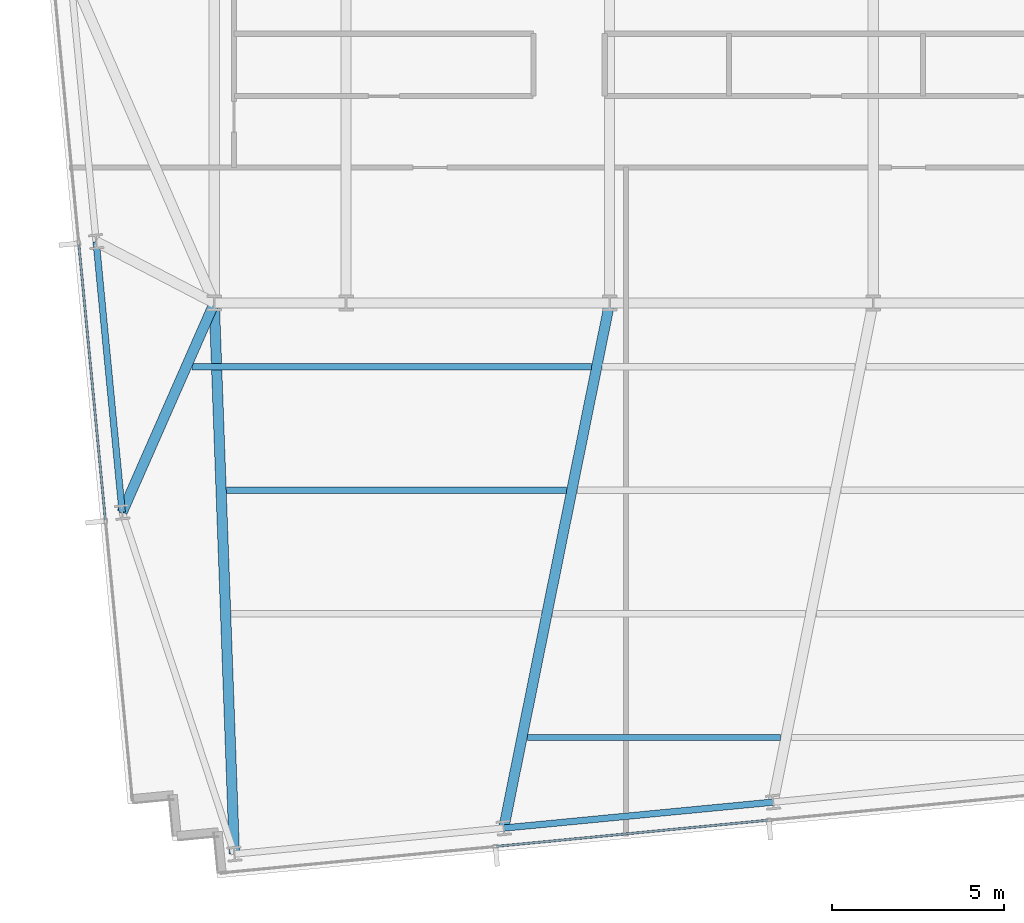
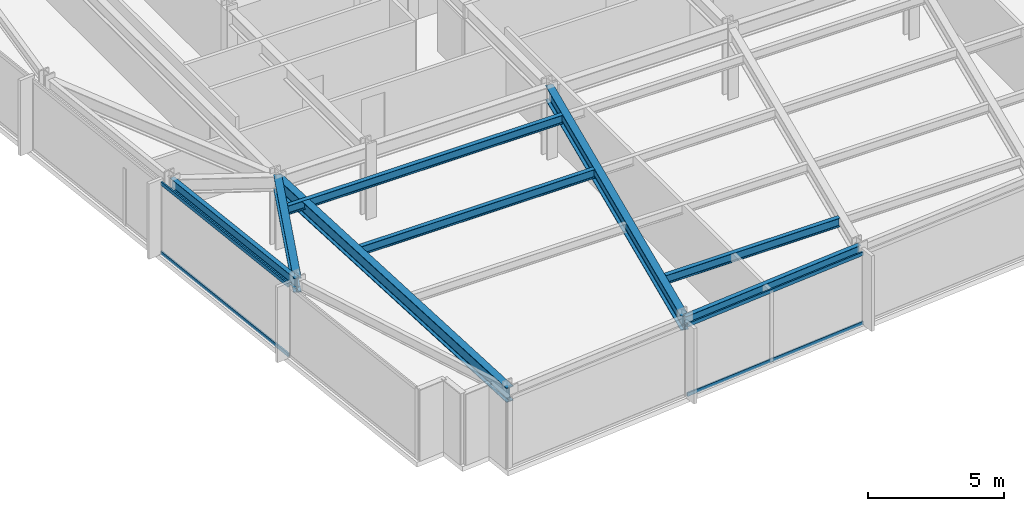
# One storey, part 3 of 32: 8 beams, 4 members, 2 elements without a shape of their own.
"""IFC4 building model written with IfcOpenShell, lengths in metres."""

from ifc_helpers import new_model, si_unit, direction, frame, origin, origin_2d, place, context, subcontext, project, spatial, hollow_rectangle, i_section, extrude, material, material_profile, profile_set, type_object, element, aggregate, save


model = new_model("IFC4")

# Units and contexts
model_context = context("Model", 3, precision=1e-05, world=origin(), true_north=direction((0.0, 1.0)))
body_context = subcontext(model_context, "Body", "Model", "MODEL_VIEW")
ifc_project = project(units=[si_unit("LENGTHUNIT", "METRE"), si_unit("AREAUNIT", "SQUARE_METRE"), si_unit("VOLUMEUNIT", "CUBIC_METRE"), si_unit("PLANEANGLEUNIT", "RADIAN"), si_unit("MASSUNIT", "GRAM", prefix="KILO")], contexts=[model_context])

# Site, building, storey
site_placement = place(None, origin())
site = spatial("IfcSite", under=ifc_project, at=site_placement, CompositionType="ELEMENT")
building_placement = place(site_placement, origin())
building = spatial("IfcBuilding", under=site, at=building_placement, Name="Yelkora Congress Tower", CompositionType="ELEMENT")
storey_placement = place(building_placement, frame((0.0, 0.0, 113.5)))
storey = spatial("IfcBuildingStorey", under=building, at=storey_placement, Name="L30", CompositionType="ELEMENT", Elevation=113.5)

# Beams
ifc_material_1 = material(Name="Steel S355J2", Category="steel")
ifc_material_profile_1 = material_profile(ifc_material_1, i_section(OverallWidth=0.300048828125, OverallDepth=0.64990234375, WebThickness=0.01611328125, FlangeThickness=0.031005859375, FilletRadius=0.027099609375, at=origin_2d()), Name="HEB 650")
ifc_profile_set_1 = profile_set([ifc_material_profile_1], Name="Steel S355J2")
beam_type_1 = type_object("IfcBeamType", Name="BM-GIRD-HEB650", PredefinedType="BEAM", material=ifc_profile_set_1)
beam_1_placement = place(storey_placement, frame((19.785888671875, 9.144287109375, 2.85498046875), z_axis=(-0.03646985294, 0.999334753637, 0.0), x_axis=(-0.999334753637, -0.03646985294, 0.0)))
element("IfcBeam", 1, at=beam_1_placement, inside=storey, type_object=beam_type_1, Name="L30 Primary Frame Girder S01", PredefinedType="BEAM", context=body_context, shape_type="SweptSolid", body=[
    extrude(i_section(OverallWidth=0.300048828125, OverallDepth=0.64990234375, WebThickness=0.01611328125, FlangeThickness=0.031005859375, FilletRadius=0.027099609375, at=origin_2d()), origin(), (0.0, 0.0, 1.0), 16.06640625),
])
beam_2_placement = place(storey_placement, frame((27.635498046875, 9.900146484375, 2.85498046875), z_axis=(0.197625995154, 0.980277494406, 0.0), x_axis=(-0.980277494406, 0.197625995154, 0.0)))
element("IfcBeam", 2, at=beam_2_placement, inside=storey, type_object=beam_type_1, Name="L30 Primary Frame Girder S02", PredefinedType="BEAM", context=body_context, shape_type="SweptSolid", body=[
    extrude(i_section(OverallWidth=0.300048828125, OverallDepth=0.64990234375, WebThickness=0.01611328125, FlangeThickness=0.031005859375, FilletRadius=0.027099609375, at=origin_2d()), origin(), (0.0, 0.0, 1.0), 15.607666015625),
])
beam_3_placement = place(storey_placement, frame((16.5166015625, 19.101806640625, 2.85498046875), z_axis=(0.402759490709, 0.915305846504, 0.0), x_axis=(-0.915305846504, 0.402759490709, 0.0)))
element("IfcBeam", 3, at=beam_3_placement, inside=storey, type_object=beam_type_1, Name="L30 Primary Frame Girder W01", PredefinedType="BEAM", context=body_context, shape_type="SweptSolid", body=[
    extrude(i_section(OverallWidth=0.300048828125, OverallDepth=0.64990234375, WebThickness=0.01611328125, FlangeThickness=0.031005859375, FilletRadius=0.027099609375, at=origin_2d()), origin(), (0.0, 0.0, 1.0), 6.662353515625),
])
ifc_material_profile_2 = material_profile(ifc_material_1, i_section(OverallWidth=0.179931640625, OverallDepth=0.39990234375, WebThickness=0.008544921875, FlangeThickness=0.013427734375, FilletRadius=0.02099609375, at=origin_2d()), Name="IPE 400")
ifc_profile_set_2 = profile_set([ifc_material_profile_2], Name="Steel S355J2")
beam_type_2 = type_object("IfcBeamType", Name="BM-JOIST-IPE400", PredefinedType="JOIST", material=ifc_profile_set_2)
beam_4_placement = place(storey_placement, frame((28.32861328125, 12.54443359375, 2.97998046875), z_axis=(1.0, 0.0, 0.0), x_axis=(0.0, 1.0, 0.0)))
element("IfcBeam", 4, at=beam_4_placement, inside=storey, type_object=beam_type_2, Name="L30 Composite Floor Joist 1", PredefinedType="JOIST", context=body_context, shape_type="SweptSolid", body=[
    extrude(i_section(OverallWidth=0.179931640625, OverallDepth=0.39990234375, WebThickness=0.008544921875, FlangeThickness=0.013427734375, FilletRadius=0.02099609375, at=origin_2d()), origin(), (0.0, 0.0, 1.0), 7.374755859375),
])
beam_5_placement = place(storey_placement, frame((19.55908203125, 19.744384765625, 2.97998046875), z_axis=(1.0, 0.0, 0.0), x_axis=(0.0, 1.0, 0.0)))
element("IfcBeam", 5, at=beam_5_placement, inside=storey, type_object=beam_type_2, Name="L30 Composite Floor Joist 11", PredefinedType="JOIST", context=body_context, shape_type="SweptSolid", body=[
    extrude(i_section(OverallWidth=0.179931640625, OverallDepth=0.39990234375, WebThickness=0.008544921875, FlangeThickness=0.013427734375, FilletRadius=0.02099609375, at=origin_2d()), origin(), (0.0, 0.0, 1.0), 9.901123046875),
])
beam_6_placement = place(storey_placement, frame((18.54345703125, 23.344482421875, 2.97998046875), z_axis=(1.0, 0.0, 0.0), x_axis=(0.0, 1.0, 0.0)))
element("IfcBeam", 6, at=beam_6_placement, inside=storey, type_object=beam_type_2, Name="L30 Composite Floor Joist 18", PredefinedType="JOIST", context=body_context, shape_type="SweptSolid", body=[
    extrude(i_section(OverallWidth=0.179931640625, OverallDepth=0.39990234375, WebThickness=0.008544921875, FlangeThickness=0.013427734375, FilletRadius=0.02099609375, at=origin_2d()), origin(), (0.0, 0.0, 1.0), 11.642333984375),
])
ifc_material_profile_3 = material_profile(ifc_material_1, i_section(OverallWidth=0.18994140625, OverallDepth=0.449951171875, WebThickness=0.009521484375, FlangeThickness=0.0146484375, FilletRadius=0.02099609375, at=origin_2d()), Name="IPE 450")
ifc_profile_set_3 = profile_set([ifc_material_profile_3], Name="Steel S355J2")
beam_type_3 = type_object("IfcBeamType", Name="BM-SPAN-IPE450", PredefinedType="SPANDREL", material=ifc_profile_set_3)
beam_7_placement = place(storey_placement, frame((15.757080078125, 26.990478515625, 2.955078125), z_axis=(0.09583684824, -0.995397055712, 0.0), x_axis=(0.995397055712, 0.09583684824, 0.0)))
element("IfcBeam", 7, at=beam_7_placement, inside=storey, type_object=beam_type_3, Name="L30 Perimeter Beam 1", PredefinedType="SPANDREL", context=body_context, shape_type="SweptSolid", body=[
    extrude(i_section(OverallWidth=0.18994140625, OverallDepth=0.449951171875, WebThickness=0.009521484375, FlangeThickness=0.0146484375, FilletRadius=0.02099609375, at=origin_2d()), origin(), (0.0, 0.0, 1.0), 7.925048828125),
])
beam_8_placement = place(storey_placement, frame((27.635498046875, 9.900146484375, 2.955078125), z_axis=(0.995395575667, 0.095852219286, 0.0), x_axis=(-0.095852219286, 0.995395575667, 0.0)))
element("IfcBeam", 8, at=beam_8_placement, inside=storey, type_object=beam_type_3, Name="L30 Perimeter Beam 4", PredefinedType="SPANDREL", context=body_context, shape_type="SweptSolid", body=[
    extrude(i_section(OverallWidth=0.18994140625, OverallDepth=0.449951171875, WebThickness=0.009521484375, FlangeThickness=0.0146484375, FilletRadius=0.02099609375, at=origin_2d()), origin(), (0.0, 0.0, 1.0), 7.8857421875),
])

# Curtain wall, members
ifc_material_2 = material(Name="Anodised aluminium and insulated glass", Category="aluminium")
curtain_wall_type = type_object("IfcCurtainWallType", Name="CW-SYS-B2", PredefinedType="NOTDEFINED", material=ifc_material_2)
curtain_wall_1_placement = place(storey_placement, origin())
curtain_wall_1 = element("IfcCurtainWall", 9, at=curtain_wall_1_placement, inside=storey, type_object=curtain_wall_type, Name="L30 Unitised Curtain Wall 5", PredefinedType="NOTDEFINED")
ifc_material_3 = material(Name="Anodised aluminium 6063-T6", Category="aluminium")
ifc_material_profile_4 = material_profile(ifc_material_3, hollow_rectangle(XDim=0.06494140625, YDim=0.159912109375, WallThickness=0.00390625, at=origin_2d()), Name="ALU 65x160x4")
ifc_profile_set_4 = profile_set([ifc_material_profile_4], Name="Anodised aluminium 6063-T6")
member_type = type_object("IfcMemberType", Name="MEM-TR-B2", PredefinedType="USERDEFINED", material=ifc_profile_set_4)
member_1_placement = place(storey_placement, frame((16.025146484375, 18.8837890625, 0.032470703125), z_axis=(-0.095838228465, 0.995396922823, 0.0), x_axis=(-0.995396922823, -0.095838228465, 0.0)))
member_1 = element("IfcMember", 10, at=member_1_placement, type_object=member_type, Name="CW-B2 transom 2.1", ObjectType="TRANSOM", PredefinedType="USERDEFINED", context=body_context, shape_type="SweptSolid", body=[
    extrude(hollow_rectangle(XDim=0.06494140625, YDim=0.159912109375, WallThickness=0.00390625, at=origin_2d()), origin(), (0.0, 0.0, 1.0), 8.06005859375),
])
member_2_placement = place(storey_placement, frame((16.025146484375, 18.8837890625, 3.1474609375), z_axis=(-0.095838228465, 0.995396922823, 0.0), x_axis=(-0.995396922823, -0.095838228465, 0.0)))
member_2 = element("IfcMember", 11, at=member_2_placement, type_object=member_type, Name="CW-B2 transom 2.2", ObjectType="TRANSOM", PredefinedType="USERDEFINED", context=body_context, shape_type="SweptSolid", body=[
    extrude(hollow_rectangle(XDim=0.06494140625, YDim=0.159912109375, WallThickness=0.00390625, at=origin_2d()), origin(), (0.0, 0.0, 1.0), 8.06005859375),
])
aggregate(curtain_wall_1, [member_1, member_2])

curtain_wall_2_placement = place(storey_placement, origin())
curtain_wall_2 = element("IfcCurtainWall", 12, at=curtain_wall_2_placement, inside=storey, type_object=curtain_wall_type, Name="L30 Unitised Curtain Wall 20", PredefinedType="NOTDEFINED")
member_3_placement = place(storey_placement, frame((35.323974609375, 10.128173828125, 0.032470703125), z_axis=(-0.995397293396, -0.095834379534, 0.0), x_axis=(0.095834379534, -0.995397293396, 0.0)))
member_3 = element("IfcMember", 13, at=member_3_placement, type_object=member_type, Name="CW-B2 transom 6.1", ObjectType="TRANSOM", PredefinedType="USERDEFINED", context=body_context, shape_type="SweptSolid", body=[
    extrude(hollow_rectangle(XDim=0.06494140625, YDim=0.159912109375, WallThickness=0.00390625, at=origin_2d()), origin(), (0.0, 0.0, 1.0), 7.93310546875),
])
member_4_placement = place(storey_placement, frame((35.323974609375, 10.128173828125, 3.1474609375), z_axis=(-0.995397293396, -0.095834379534, 0.0), x_axis=(0.095834379534, -0.995397293396, 0.0)))
member_4 = element("IfcMember", 14, at=member_4_placement, type_object=member_type, Name="CW-B2 transom 6.2", ObjectType="TRANSOM", PredefinedType="USERDEFINED", context=body_context, shape_type="SweptSolid", body=[
    extrude(hollow_rectangle(XDim=0.06494140625, YDim=0.159912109375, WallThickness=0.00390625, at=origin_2d()), origin(), (0.0, 0.0, 1.0), 7.93310546875),
])
aggregate(curtain_wall_2, [member_3, member_4])

save(model, "model.ifc")
